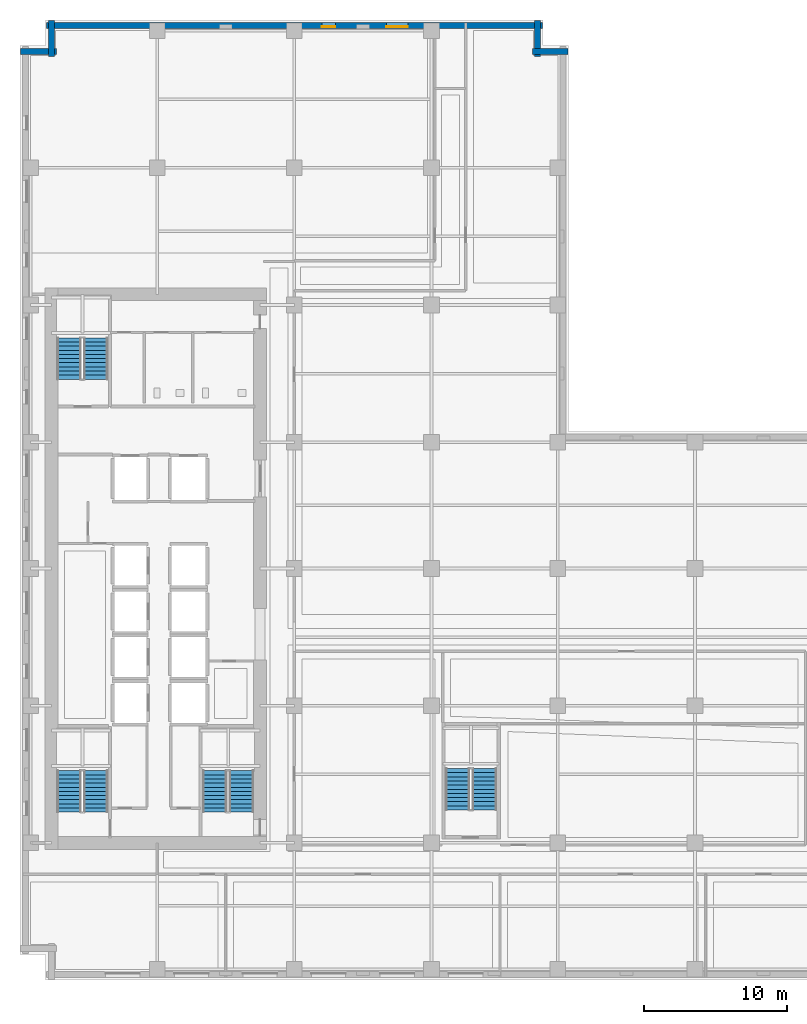
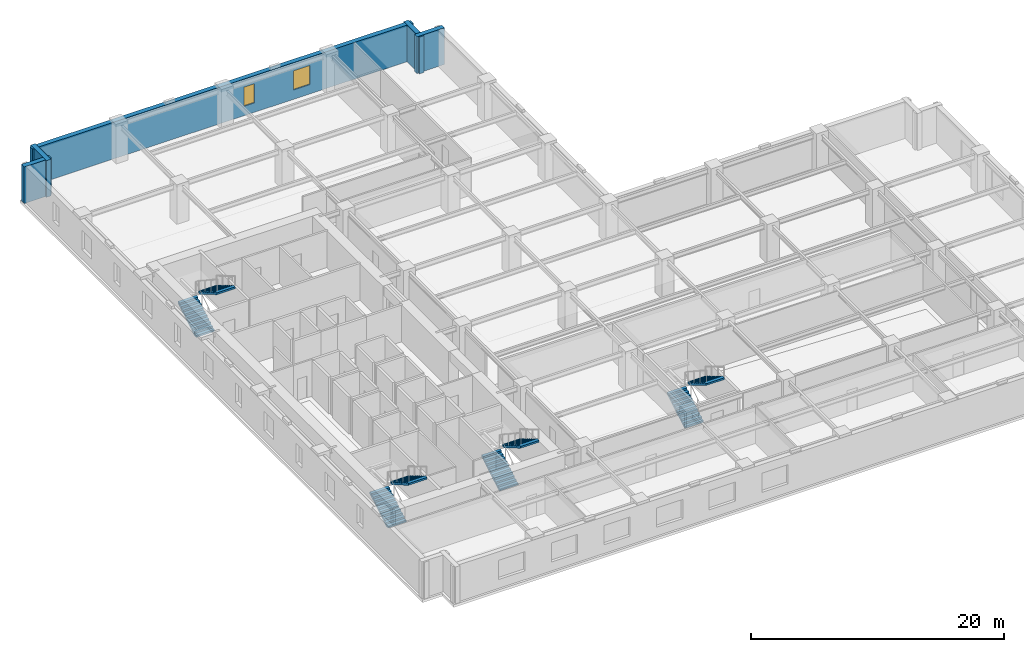
# One storey, part 8 of 13: 8 stair flights, 5 walls, 2 windows, 2 openings, 4 elements without a shape of their own.
"""IFC4 building model written with IfcOpenShell, lengths in metres."""

import ifcopenshell
import ifcopenshell.guid

model = None  # the IFC model being written
_history = None  # IfcOwnerHistory: only IFC2X3 demands one
_inside = {}  # id of a spatial element -> (the spatial element, [elements in it])
_under = {}  # id of a project, library or spatial element -> (it, [spatial elements below it])
_declared = {}  # id of a project -> (the project, [libraries it declares])
_typed = {}  # id of a type object -> (the type object, [elements of that type])
_made_of = {}  # id of a material, layer set ... -> (it, [elements and type objects made of it])


def new_model(schema):
    """Start an empty IFC model of exactly this schema.

    Asked for "IFC4X3", IfcOpenShell would pick the latest addendum, in which some entities
    have other attributes; the version numbers below select the first issue.
    IFC2X3 requires an IfcOwnerHistory on every rooted entity: one is made here for all.
    """
    global model, _history
    if schema == "IFC4X3":
        model = ifcopenshell.file(schema_version=(4, 3, 0, 0))
    else:
        model = ifcopenshell.file(schema=schema)
    _inside.clear()
    _under.clear()
    _declared.clear()
    _typed.clear()
    _made_of.clear()
    _history = None
    if model.schema == "IFC2X3":
        org = make("IfcOrganization", Name="unknown")
        user = make(
            "IfcPersonAndOrganization",
            ThePerson=make("IfcPerson", FamilyName="unknown"),
            TheOrganization=org,
        )
        app = make(
            "IfcApplication",
            ApplicationDeveloper=org,
            Version="unknown",
            ApplicationFullName="unknown",
            ApplicationIdentifier="unknown",
        )
        _history = make(
            "IfcOwnerHistory",
            OwningUser=user,
            OwningApplication=app,
            ChangeAction="ADDED",
            CreationDate=0,
        )
    return model


def make(cls, **values):
    """One entity of the class cls with the attributes given. An attribute that is None is left unset."""
    return model.create_entity(
        cls, **{name: value for name, value in values.items() if value is not None}
    )


def rooted(cls, **values):
    """An entity with a GlobalId (a new one), such as an element, a storey or a relation."""
    return make(cls, GlobalId=ifcopenshell.guid.new(), OwnerHistory=_history, **values)


def si_unit(unit_type, name, prefix=None):
    """IfcSIUnit, for example si_unit("LENGTHUNIT", "METRE", prefix="MILLI")."""
    return make("IfcSIUnit", UnitType=unit_type, Prefix=prefix, Name=name)


def assignment(units):
    """IfcUnitAssignment: the units of a project."""
    return None if units is None else make("IfcUnitAssignment", Units=units)


def point(xyz):
    """IfcCartesianPoint."""
    return None if xyz is None else make("IfcCartesianPoint", Coordinates=xyz)


def direction(xyz):
    """IfcDirection."""
    return None if xyz is None else make("IfcDirection", DirectionRatios=xyz)


def frame(location, z_axis=None, x_axis=None):
    """IfcAxis2Placement3D, a coordinate frame: its origin and axes. An axis left out is left unset."""
    return make(
        "IfcAxis2Placement3D",
        Location=point(location),
        Axis=direction(z_axis),
        RefDirection=direction(x_axis),
    )


def frame_2d(location, x_axis=None):
    """IfcAxis2Placement2D, a coordinate frame in the plane: its origin and x axis."""
    return make(
        "IfcAxis2Placement2D", Location=point(location), RefDirection=direction(x_axis)
    )


def origin():
    """The frame at (0, 0, 0) with its axes left unset."""
    return frame((0.0, 0.0, 0.0))


def place(relative_to, where):
    """IfcLocalPlacement: puts the frame where relative to a parent placement (None: the world)."""
    return make(
        "IfcLocalPlacement", PlacementRelTo=relative_to, RelativePlacement=where
    )


def context(
    kind, dimensions, precision=None, world=None, true_north=None, identifier=None
):
    """IfcGeometricRepresentationContext, for example the 3D "Model" context."""
    return make(
        "IfcGeometricRepresentationContext",
        ContextIdentifier=identifier,
        ContextType=kind,
        CoordinateSpaceDimension=dimensions,
        Precision=precision,
        WorldCoordinateSystem=world,
        TrueNorth=true_north,
    )


def subcontext(parent, identifier, kind, view, scale=None):
    """IfcGeometricRepresentationSubContext, for example "Body" below "Model"."""
    return make(
        "IfcGeometricRepresentationSubContext",
        ContextIdentifier=identifier,
        ContextType=kind,
        ParentContext=parent,
        TargetScale=scale,
        TargetView=view,
    )


def project(units=None, contexts=None):
    """IfcProject with its units and contexts."""
    return rooted(
        "IfcProject",
        Name="project",
        RepresentationContexts=contexts,
        UnitsInContext=assignment(units),
    )


def spatial(cls, under=None, at=None, **own):
    """A site, building, storey or space (cls), placed at a placement, below another one or the project."""
    s = rooted(cls, ObjectPlacement=at, **own)
    if under is not None:
        _under.setdefault(under.id(), (under, []))[1].append(s)
    return s


def polyline(points):
    """IfcPolyline through the points."""
    return make("IfcPolyline", Points=[point(p) for p in points])


def profile(cls, at=None, kind="AREA", **sizes):
    """A parametric profile (cls). Its sizes go by their IFC names, for example OverallWidth=200.0."""
    return make(cls, ProfileType=kind, Position=at, **sizes)


def rectangle(**sizes):
    """IfcRectangleProfileDef."""
    return profile("IfcRectangleProfileDef", **sizes)


def outline(outer, holes=None, kind="AREA"):
    """IfcArbitraryClosedProfileDef: a profile drawn as a closed curve; with holes, ...WithVoids."""
    if holes is None:
        return make("IfcArbitraryClosedProfileDef", ProfileType=kind, OuterCurve=outer)
    return make(
        "IfcArbitraryProfileDefWithVoids",
        ProfileType=kind,
        OuterCurve=outer,
        InnerCurves=holes,
    )


def extrude(swept, where, along, depth):
    """IfcExtrudedAreaSolid: the profile swept, set in the frame where, extruded along a direction by depth."""
    return make(
        "IfcExtrudedAreaSolid",
        SweptArea=swept,
        Position=where,
        ExtrudedDirection=direction(along),
        Depth=depth,
    )


def shape(context_of_items, identifier, shape_type, items):
    """IfcShapeRepresentation: the items that make up one representation, for example the "Body"."""
    return make(
        "IfcShapeRepresentation",
        ContextOfItems=context_of_items,
        RepresentationIdentifier=identifier,
        RepresentationType=shape_type,
        Items=items,
    )


def material(Name=None, Category=None):
    """IfcMaterial."""
    return make("IfcMaterial", Name=Name, Category=Category)


def layer(
    of_material, thickness, ventilated=None, Name=None, Category=None, Priority=None
):
    """IfcMaterialLayer: one layer of a wall or slab, of a material (None: an air gap)."""
    return make(
        "IfcMaterialLayer",
        Material=of_material,
        LayerThickness=thickness,
        IsVentilated=ventilated,
        Name=Name,
        Category=Category,
        Priority=Priority,
    )


def layer_set(layers, Name=None):
    """IfcMaterialLayerSet."""
    return make("IfcMaterialLayerSet", MaterialLayers=layers, LayerSetName=Name)


def made_of(thing, what):
    """Note that an element or type object is made of a material, layer set ...; save() writes the relation."""
    if what is not None:
        _made_of.setdefault(what.id(), (what, []))[1].append(thing)
    return thing


def type_object(cls, material=None, **own):
    """A type object (cls), such as IfcWallType, which elements share."""
    return made_of(rooted(cls, **own), material)


def element(
    cls,
    number,
    at=None,
    inside=None,
    cuts=None,
    type_object=None,
    material=None,
    context=None,
    identifier="Body",
    shape_type=None,
    held_by="IfcProductDefinitionShape",
    body=None,
    shapes=None,
    **own,
):
    """One element of the class cls, such as IfcWall. Its Tag is "e" and its number.

    at: its placement. inside: the storey or other place that contains it. cuts: it is an
    opening in that element (IfcRelVoidsElement). A single representation is given by context,
    identifier, shape_type and body (its items); several are given by shapes. held_by: the class
    of the entity that holds the representations. save() writes the other relations.
    """
    e = rooted(cls, Tag="e%d" % number, ObjectPlacement=at, **own)
    if body is not None:
        shapes = [shape(context, identifier, shape_type, body)]
    if shapes is not None:
        e.Representation = make(held_by, Representations=shapes)
    if inside is not None:
        _inside.setdefault(inside.id(), (inside, []))[1].append(e)
    if cuts is not None:
        rooted(
            "IfcRelVoidsElement", RelatingBuildingElement=cuts, RelatedOpeningElement=e
        )
    if type_object is not None:
        _typed.setdefault(type_object.id(), (type_object, []))[1].append(e)
    return made_of(e, material)


def fill(opening, filler):
    """IfcRelFillsElement: the door or window that sits in an opening."""
    return rooted(
        "IfcRelFillsElement",
        RelatingOpeningElement=opening,
        RelatedBuildingElement=filler,
    )


def aggregate(whole, parts):
    """IfcRelAggregates: a whole, such as a stair, and the parts it consists of."""
    return rooted("IfcRelAggregates", RelatingObject=whole, RelatedObjects=parts)


def save(model, path):
    """Write the relations noted so far, then the file.

    IfcRelAggregates (storeys below a building ...), IfcRelContainedInSpatialStructure (elements
    in a storey), IfcRelDefinesByType, IfcRelAssociatesMaterial and IfcRelDeclares: one each for
    every whole, place, type object, material and project.
    """
    for whole, parts in _under.values():
        aggregate(whole, parts)
    for where, things in _inside.values():
        rooted(
            "IfcRelContainedInSpatialStructure",
            RelatedElements=things,
            RelatingStructure=where,
        )
    for kind, things in _typed.values():
        rooted("IfcRelDefinesByType", RelatedObjects=things, RelatingType=kind)
    for what, things in _made_of.values():
        rooted("IfcRelAssociatesMaterial", RelatedObjects=things, RelatingMaterial=what)
    for by, libraries in _declared.values():
        rooted("IfcRelDeclares", RelatingContext=by, RelatedDefinitions=libraries)
    model.write(path)


model = new_model("IFC4")

# Units and contexts
model_context = context("Model", 3, precision=1e-05, world=origin(), true_north=direction((0.0, 1.0)))
body_context = subcontext(model_context, "Body", "Model", "MODEL_VIEW")
ifc_project = project(units=[si_unit("LENGTHUNIT", "METRE"), si_unit("AREAUNIT", "SQUARE_METRE"), si_unit("VOLUMEUNIT", "CUBIC_METRE"), si_unit("PLANEANGLEUNIT", "RADIAN"), si_unit("MASSUNIT", "GRAM", prefix="KILO")], contexts=[model_context])

# Site, building, storey
site_placement = place(None, origin())
site = spatial("IfcSite", under=ifc_project, at=site_placement, CompositionType="ELEMENT")
building_placement = place(site_placement, origin())
building = spatial("IfcBuilding", under=site, at=building_placement, Name="Norrvale University Quadrangle", CompositionType="ELEMENT")
storey_placement = place(building_placement, frame((0.0, 0.0, 81.199951171875)))
storey = spatial("IfcBuildingStorey", under=building, at=storey_placement, Name="L20", CompositionType="ELEMENT", Elevation=81.199951171875)

# Walls
ifc_material_1 = material(Name="Buff Norman Clay Brick Masonry", Category="masonry")
ifc_layer = layer(ifc_material_1, 0.419921875, Name="Buff Norman Clay Brick Masonry")
ifc_layer_set = layer_set([ifc_layer], Name="Buff Norman Clay Brick Masonry")
wall_type = type_object("IfcWallType", Name="Wall Buff Brick 420", PredefinedType="SOLIDWALL", material=ifc_layer_set)
for number, where, z_axis, x_axis, name in (
    (1, (38.360107421875, 65.010009765625, 0.0), (0.0, 0.0, 1.0), (-1.0, 0.0, 0.0), "Exterior Brick Facade Wall L20-09.1"),
    (2, (36.2099609375, 64.659912109375, 0.0), (0.0, 0.0, 1.0), (0.0, 1.0, 0.0), "Exterior Brick Facade Wall L20-10.1"),
):
    element("IfcWall", number, at=place(storey_placement, frame(where, z_axis=z_axis, x_axis=x_axis)), inside=storey, type_object=wall_type, Name=name, PredefinedType="SOLIDWALL", context=body_context, shape_type="SweptSolid", body=[
        extrude(rectangle(XDim=2.5, YDim=0.419921875, at=frame_2d((1.25, 0.0))), origin(), (0.0, 0.0, 1.0), 3.5400390625),
    ])

# Wall, openings, windows
wall_placement = place(storey_placement, frame((36.56005859375, 66.81005859375, 0.0), z_axis=(0.0, 0.0, 1.0), x_axis=(-1.0, 0.0, 0.0)))
wall = element("IfcWall", 3, at=wall_placement, inside=storey, type_object=wall_type, Name="Exterior Brick Facade Wall L20-11.1", PredefinedType="SOLIDWALL", context=body_context, shape_type="SweptSolid", body=[
    extrude(rectangle(XDim=34.719970703125, YDim=0.419921875, at=frame_2d((17.35986328125, 0.0))), origin(), (0.0, 0.0, 1.0), 3.5400390625),
])
opening_1_placement = place(wall_placement, frame((9.409912109375, 0.0, 0.89990234375)))
opening_1 = element("IfcOpeningElement", 4, at=opening_1_placement, cuts=wall, Name="Opening W03", PredefinedType="OPENING", context=body_context, shape_type="SweptSolid", body=[
    extrude(rectangle(XDim=1.5, YDim=1.85009765625, at=frame_2d((0.75, 0.925048828125))), frame((0.0, 0.221923828125, 0.0), z_axis=(0.0, -1.0, 0.0), x_axis=(1.0, 0.0, 0.0)), (0.0, 0.0, 1.0), 0.44384765625),
])
opening_2_placement = place(wall_placement, frame((14.485107421875, 0.0, 0.89990234375)))
opening_2 = element("IfcOpeningElement", 5, at=opening_2_placement, cuts=wall, Name="Opening W04", PredefinedType="OPENING", context=body_context, shape_type="SweptSolid", body=[
    extrude(rectangle(XDim=0.949951171875, YDim=1.85009765625, at=frame_2d((0.47509765625, 0.925048828125))), frame((0.0, 0.221923828125, 0.0), z_axis=(0.0, -1.0, 0.0), x_axis=(1.0, 0.0, 0.0)), (0.0, 0.0, 1.0), 0.44384765625),
])
ifc_material_2 = material(Name="Triple Low-E Argon Glazing", Category="glass")
window_type_1 = type_object("IfcWindowType", Name="Window Narrow Pier 950x2300", PartitioningType="SINGLE_PANEL", PredefinedType="WINDOW", material=ifc_material_2)
window_1_placement = place(opening_2_placement, origin())
window_1 = element("IfcWindow", 6, at=window_1_placement, inside=storey, type_object=window_type_1, Name="Window Narrow Pier 950x2300 WIN-L20-E11-1-02", OverallHeight=1.85009765625, OverallWidth=0.949951171875, PartitioningType="SINGLE_PANEL", PredefinedType="WINDOW", context=body_context, shape_type="SweptSolid", body=[
    extrude(rectangle(XDim=0.949951171875, YDim=1.85009765625, at=frame_2d((0.47509765625, 0.925048828125))), frame((0.0, 0.110107421875, 0.0), z_axis=(0.0, -1.0, 0.0), x_axis=(1.0, 0.0, 0.0)), (0.0, 0.0, 1.0), 0.06005859375),
])
fill(opening_2, window_1)
window_type_2 = type_object("IfcWindowType", Name="Window Studio 1500x2300", PartitioningType="DOUBLE_PANEL_VERTICAL", PredefinedType="WINDOW", material=ifc_material_2)
window_2_placement = place(opening_1_placement, origin())
window_2 = element("IfcWindow", 7, at=window_2_placement, inside=storey, type_object=window_type_2, Name="Window Studio 1500x2300 WIN-L20-E11-1-01", OverallHeight=1.85009765625, OverallWidth=1.5, PartitioningType="DOUBLE_PANEL_VERTICAL", PredefinedType="WINDOW", context=body_context, shape_type="SweptSolid", body=[
    extrude(rectangle(XDim=1.5, YDim=1.85009765625, at=frame_2d((0.75, 0.925048828125))), frame((0.0, 0.110107421875, 0.0), z_axis=(0.0, -1.0, 0.0), x_axis=(1.0, 0.0, 0.0)), (0.0, 0.0, 1.0), 0.06005859375),
])
fill(opening_1, window_2)

# Walls
for number, where, z_axis, x_axis, name in (
    (8, (2.18994140625, 67.159912109375, 0.0), (0.0, 0.0, 1.0), (0.0, -1.0, 0.0), "Exterior Brick Facade Wall L20-12.1"),
    (9, (2.5400390625, 65.010009765625, 0.0), (0.0, 0.0, 1.0), (-1.0, 0.0, 0.0), "Exterior Brick Facade Wall L20-13.1"),
):
    element("IfcWall", number, at=place(storey_placement, frame(where, z_axis=z_axis, x_axis=x_axis)), inside=storey, type_object=wall_type, Name=name, PredefinedType="SOLIDWALL", context=body_context, shape_type="SweptSolid", body=[
        extrude(rectangle(XDim=2.5, YDim=0.419921875, at=frame_2d((1.25, 0.0))), origin(), (0.0, 0.0, 1.0), 3.5400390625),
    ])

# Stair, stair flights
ifc_material_3 = material(Name="Concrete C40/50", Category="concrete")
stair_type = type_object("IfcStairType", Name="Stair Tower Typ 3800", PredefinedType="TWO_STRAIGHT_RUN_STAIR", material=ifc_material_3)
stair_1_placement = place(storey_placement, origin())
stair_1 = element("IfcStair", 10, at=stair_1_placement, inside=storey, type_object=stair_type, Name="Exit Stair ST-01 L20", PredefinedType="TWO_STRAIGHT_RUN_STAIR")
stair_flight_type = type_object("IfcStairFlightType", Name="Flight Typ 1500", PredefinedType="STRAIGHT", material=ifc_material_3)
stair_flight_1_placement = place(storey_placement, frame((3.429931640625, 11.75, 0.0), z_axis=(0.0, 0.0, 1.0), x_axis=(0.0, 1.0, 0.0)))
stair_flight_1 = element("IfcStairFlight", 11, at=stair_flight_1_placement, type_object=stair_flight_type, Name="Exit Stair ST-01 L20 Lower Flight", NumberOfRisers=11, NumberOfTreads=10, PredefinedType="STRAIGHT", RiserHeight=0.172727, TreadLength=0.29, context=body_context, shape_type="SweptSolid", body=[
    extrude(outline(polyline([(0.0, 0.0), (0.0, 0.172607421875), (0.2900390625, 0.172607421875), (0.2900390625, 0.345458984375), (0.580078125, 0.345458984375), (0.580078125, 0.51806640625), (0.8701171875, 0.51806640625), (0.8701171875, 0.69091796875), (1.159912109375, 0.69091796875), (1.159912109375, 0.863525390625), (1.449951171875, 0.863525390625), (1.449951171875, 1.036376953125), (1.739990234375, 1.036376953125), (1.739990234375, 1.208984375), (2.030029296875, 1.208984375), (2.030029296875, 1.3818359375), (2.320068359375, 1.3818359375), (2.320068359375, 1.554443359375), (2.610107421875, 1.554443359375), (2.610107421875, 1.727294921875), (2.89990234375, 1.727294921875), (2.89990234375, 1.89990234375), (2.89990234375, 1.552734375), (0.29296875, 0.0), (0.0, 0.0)])), frame((0.0, 0.83984375, 0.0), z_axis=(0.0, -1.0, 0.0), x_axis=(1.0, 0.0, 0.0)), (0.0, 0.0, 1.0), 1.679931640625),
])
stair_flight_2_placement = place(storey_placement, frame((5.320068359375, 14.64990234375, 1.900146484375), z_axis=(0.0, 0.0, 1.0), x_axis=(0.0, -1.0, 0.0)))
stair_flight_2 = element("IfcStairFlight", 12, at=stair_flight_2_placement, type_object=stair_flight_type, Name="Exit Stair ST-01 L20 Upper Flight", NumberOfRisers=11, NumberOfTreads=10, PredefinedType="STRAIGHT", RiserHeight=0.172727, TreadLength=0.29, context=body_context, shape_type="SweptSolid", body=[
    extrude(outline(polyline([(0.0, 0.0), (0.0, 0.172607421875), (0.2900390625, 0.172607421875), (0.2900390625, 0.345458984375), (0.580078125, 0.345458984375), (0.580078125, 0.51806640625), (0.8701171875, 0.51806640625), (0.8701171875, 0.69091796875), (1.159912109375, 0.69091796875), (1.159912109375, 0.863525390625), (1.449951171875, 0.863525390625), (1.449951171875, 1.036376953125), (1.739990234375, 1.036376953125), (1.739990234375, 1.208984375), (2.030029296875, 1.208984375), (2.030029296875, 1.3818359375), (2.320068359375, 1.3818359375), (2.320068359375, 1.554443359375), (2.610107421875, 1.554443359375), (2.610107421875, 1.727294921875), (2.89990234375, 1.727294921875), (2.89990234375, 1.89990234375), (2.89990234375, 1.552734375), (0.29296875, 0.0), (0.0, 0.0)])), frame((0.0, 0.83984375, 0.0), z_axis=(0.0, -1.0, 0.0), x_axis=(1.0, 0.0, 0.0)), (0.0, 0.0, 1.0), 1.679931640625),
])
aggregate(stair_1, [stair_flight_1, stair_flight_2])

stair_2_placement = place(storey_placement, origin())
stair_2 = element("IfcStair", 13, at=stair_2_placement, inside=storey, type_object=stair_type, Name="Exit Stair ST-02 L20", PredefinedType="TWO_STRAIGHT_RUN_STAIR")
stair_flight_3_placement = place(storey_placement, frame((3.429931640625, 42.050048828125, 0.0), z_axis=(0.0, 0.0, 1.0), x_axis=(0.0, 1.0, 0.0)))
stair_flight_3 = element("IfcStairFlight", 14, at=stair_flight_3_placement, type_object=stair_flight_type, Name="Exit Stair ST-02 L20 Lower Flight", NumberOfRisers=11, NumberOfTreads=10, PredefinedType="STRAIGHT", RiserHeight=0.172727, TreadLength=0.29, context=body_context, shape_type="SweptSolid", body=[
    extrude(outline(polyline([(0.0, 0.0), (0.0, 0.172607421875), (0.2900390625, 0.172607421875), (0.2900390625, 0.345458984375), (0.580078125, 0.345458984375), (0.580078125, 0.51806640625), (0.8701171875, 0.51806640625), (0.8701171875, 0.69091796875), (1.159912109375, 0.69091796875), (1.159912109375, 0.863525390625), (1.449951171875, 0.863525390625), (1.449951171875, 1.036376953125), (1.739990234375, 1.036376953125), (1.739990234375, 1.208984375), (2.030029296875, 1.208984375), (2.030029296875, 1.3818359375), (2.320068359375, 1.3818359375), (2.320068359375, 1.554443359375), (2.610107421875, 1.554443359375), (2.610107421875, 1.727294921875), (2.89990234375, 1.727294921875), (2.89990234375, 1.89990234375), (2.89990234375, 1.552734375), (0.29296875, 0.0), (0.0, 0.0)])), frame((0.0, 0.83984375, 0.0), z_axis=(0.0, -1.0, 0.0), x_axis=(1.0, 0.0, 0.0)), (0.0, 0.0, 1.0), 1.679931640625),
])
stair_flight_4_placement = place(storey_placement, frame((5.320068359375, 44.949951171875, 1.900146484375), z_axis=(0.0, 0.0, 1.0), x_axis=(0.0, -1.0, 0.0)))
stair_flight_4 = element("IfcStairFlight", 15, at=stair_flight_4_placement, type_object=stair_flight_type, Name="Exit Stair ST-02 L20 Upper Flight", NumberOfRisers=11, NumberOfTreads=10, PredefinedType="STRAIGHT", RiserHeight=0.172727, TreadLength=0.29, context=body_context, shape_type="SweptSolid", body=[
    extrude(outline(polyline([(0.0, 0.0), (0.0, 0.172607421875), (0.2900390625, 0.172607421875), (0.2900390625, 0.345458984375), (0.580078125, 0.345458984375), (0.580078125, 0.51806640625), (0.8701171875, 0.51806640625), (0.8701171875, 0.69091796875), (1.159912109375, 0.69091796875), (1.159912109375, 0.863525390625), (1.449951171875, 0.863525390625), (1.449951171875, 1.036376953125), (1.739990234375, 1.036376953125), (1.739990234375, 1.208984375), (2.030029296875, 1.208984375), (2.030029296875, 1.3818359375), (2.320068359375, 1.3818359375), (2.320068359375, 1.554443359375), (2.610107421875, 1.554443359375), (2.610107421875, 1.727294921875), (2.89990234375, 1.727294921875), (2.89990234375, 1.89990234375), (2.89990234375, 1.552734375), (0.29296875, 0.0), (0.0, 0.0)])), frame((0.0, 0.83984375, 0.0), z_axis=(0.0, -1.0, 0.0), x_axis=(1.0, 0.0, 0.0)), (0.0, 0.0, 1.0), 1.679931640625),
])
aggregate(stair_2, [stair_flight_3, stair_flight_4])

stair_3_placement = place(storey_placement, origin())
stair_3 = element("IfcStair", 16, at=stair_3_placement, inside=storey, type_object=stair_type, Name="Exit Stair ST-03 L20", PredefinedType="TWO_STRAIGHT_RUN_STAIR")
stair_flight_5_placement = place(storey_placement, frame((13.6298828125, 11.75, 0.0), z_axis=(0.0, 0.0, 1.0), x_axis=(0.0, 1.0, 0.0)))
stair_flight_5 = element("IfcStairFlight", 17, at=stair_flight_5_placement, type_object=stair_flight_type, Name="Exit Stair ST-03 L20 Lower Flight", NumberOfRisers=11, NumberOfTreads=10, PredefinedType="STRAIGHT", RiserHeight=0.172727, TreadLength=0.29, context=body_context, shape_type="SweptSolid", body=[
    extrude(outline(polyline([(0.0, 0.0), (0.0, 0.172607421875), (0.2900390625, 0.172607421875), (0.2900390625, 0.345458984375), (0.580078125, 0.345458984375), (0.580078125, 0.51806640625), (0.8701171875, 0.51806640625), (0.8701171875, 0.69091796875), (1.159912109375, 0.69091796875), (1.159912109375, 0.863525390625), (1.449951171875, 0.863525390625), (1.449951171875, 1.036376953125), (1.739990234375, 1.036376953125), (1.739990234375, 1.208984375), (2.030029296875, 1.208984375), (2.030029296875, 1.3818359375), (2.320068359375, 1.3818359375), (2.320068359375, 1.554443359375), (2.610107421875, 1.554443359375), (2.610107421875, 1.727294921875), (2.89990234375, 1.727294921875), (2.89990234375, 1.89990234375), (2.89990234375, 1.552734375), (0.29296875, 0.0), (0.0, 0.0)])), frame((0.0, 0.83984375, 0.0), z_axis=(0.0, -1.0, 0.0), x_axis=(1.0, 0.0, 0.0)), (0.0, 0.0, 1.0), 1.679931640625),
])
stair_flight_6_placement = place(storey_placement, frame((15.52001953125, 14.64990234375, 1.900146484375), z_axis=(0.0, 0.0, 1.0), x_axis=(0.0, -1.0, 0.0)))
stair_flight_6 = element("IfcStairFlight", 18, at=stair_flight_6_placement, type_object=stair_flight_type, Name="Exit Stair ST-03 L20 Upper Flight", NumberOfRisers=11, NumberOfTreads=10, PredefinedType="STRAIGHT", RiserHeight=0.172727, TreadLength=0.29, context=body_context, shape_type="SweptSolid", body=[
    extrude(outline(polyline([(0.0, 0.0), (0.0, 0.172607421875), (0.2900390625, 0.172607421875), (0.2900390625, 0.345458984375), (0.580078125, 0.345458984375), (0.580078125, 0.51806640625), (0.8701171875, 0.51806640625), (0.8701171875, 0.69091796875), (1.159912109375, 0.69091796875), (1.159912109375, 0.863525390625), (1.449951171875, 0.863525390625), (1.449951171875, 1.036376953125), (1.739990234375, 1.036376953125), (1.739990234375, 1.208984375), (2.030029296875, 1.208984375), (2.030029296875, 1.3818359375), (2.320068359375, 1.3818359375), (2.320068359375, 1.554443359375), (2.610107421875, 1.554443359375), (2.610107421875, 1.727294921875), (2.89990234375, 1.727294921875), (2.89990234375, 1.89990234375), (2.89990234375, 1.552734375), (0.29296875, 0.0), (0.0, 0.0)])), frame((0.0, 0.83984375, 0.0), z_axis=(0.0, -1.0, 0.0), x_axis=(1.0, 0.0, 0.0)), (0.0, 0.0, 1.0), 1.679931640625),
])
aggregate(stair_3, [stair_flight_5, stair_flight_6])

stair_4_placement = place(storey_placement, origin())
stair_4 = element("IfcStair", 19, at=stair_4_placement, inside=storey, type_object=stair_type, Name="Exit Stair ST-04 L20", PredefinedType="TWO_STRAIGHT_RUN_STAIR")
stair_flight_7_placement = place(storey_placement, frame((30.6298828125, 11.89990234375, 0.0), z_axis=(0.0, 0.0, 1.0), x_axis=(0.0, 1.0, 0.0)))
stair_flight_7 = element("IfcStairFlight", 20, at=stair_flight_7_placement, type_object=stair_flight_type, Name="Exit Stair ST-04 L20 Lower Flight", NumberOfRisers=11, NumberOfTreads=10, PredefinedType="STRAIGHT", RiserHeight=0.172727, TreadLength=0.29, context=body_context, shape_type="SweptSolid", body=[
    extrude(outline(polyline([(0.0, 0.0), (0.0, 0.172607421875), (0.2900390625, 0.172607421875), (0.2900390625, 0.345458984375), (0.580078125, 0.345458984375), (0.580078125, 0.51806640625), (0.8701171875, 0.51806640625), (0.8701171875, 0.69091796875), (1.159912109375, 0.69091796875), (1.159912109375, 0.863525390625), (1.449951171875, 0.863525390625), (1.449951171875, 1.036376953125), (1.739990234375, 1.036376953125), (1.739990234375, 1.208984375), (2.030029296875, 1.208984375), (2.030029296875, 1.3818359375), (2.320068359375, 1.3818359375), (2.320068359375, 1.554443359375), (2.610107421875, 1.554443359375), (2.610107421875, 1.727294921875), (2.89990234375, 1.727294921875), (2.89990234375, 1.89990234375), (2.89990234375, 1.552734375), (0.29296875, 0.0), (0.0, 0.0)])), frame((0.0, 0.83984375, 0.0), z_axis=(0.0, -1.0, 0.0), x_axis=(1.0, 0.0, 0.0)), (0.0, 0.0, 1.0), 1.679931640625),
])
stair_flight_8_placement = place(storey_placement, frame((32.52001953125, 14.800048828125, 1.900146484375), z_axis=(0.0, 0.0, 1.0), x_axis=(0.0, -1.0, 0.0)))
stair_flight_8 = element("IfcStairFlight", 21, at=stair_flight_8_placement, type_object=stair_flight_type, Name="Exit Stair ST-04 L20 Upper Flight", NumberOfRisers=11, NumberOfTreads=10, PredefinedType="STRAIGHT", RiserHeight=0.172727, TreadLength=0.29, context=body_context, shape_type="SweptSolid", body=[
    extrude(outline(polyline([(0.0, 0.0), (0.0, 0.172607421875), (0.2900390625, 0.172607421875), (0.2900390625, 0.345458984375), (0.580078125, 0.345458984375), (0.580078125, 0.51806640625), (0.8701171875, 0.51806640625), (0.8701171875, 0.69091796875), (1.159912109375, 0.69091796875), (1.159912109375, 0.863525390625), (1.449951171875, 0.863525390625), (1.449951171875, 1.036376953125), (1.739990234375, 1.036376953125), (1.739990234375, 1.208984375), (2.030029296875, 1.208984375), (2.030029296875, 1.3818359375), (2.320068359375, 1.3818359375), (2.320068359375, 1.554443359375), (2.610107421875, 1.554443359375), (2.610107421875, 1.727294921875), (2.89990234375, 1.727294921875), (2.89990234375, 1.89990234375), (2.89990234375, 1.552734375), (0.29296875, 0.0), (0.0, 0.0)])), frame((0.0, 0.83984375, 0.0), z_axis=(0.0, -1.0, 0.0), x_axis=(1.0, 0.0, 0.0)), (0.0, 0.0, 1.0), 1.679931640625),
])
aggregate(stair_4, [stair_flight_7, stair_flight_8])

save(model, "model.ifc")
